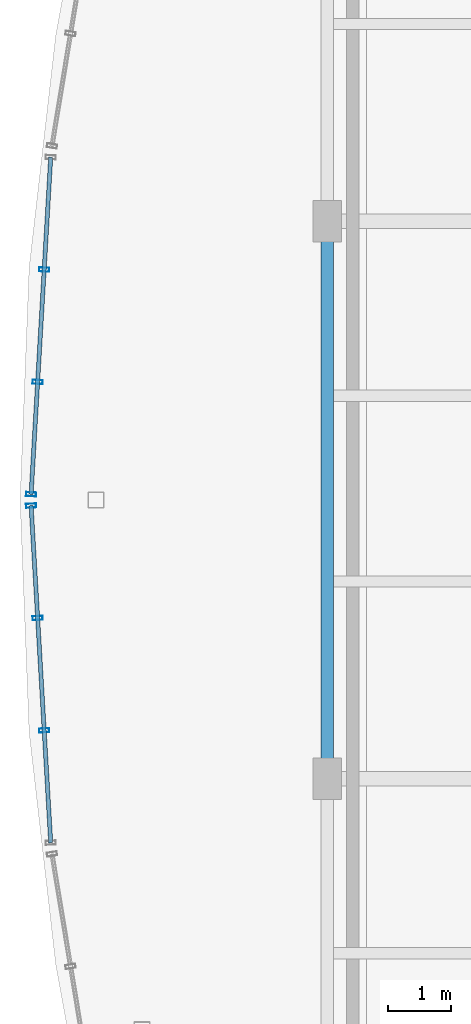
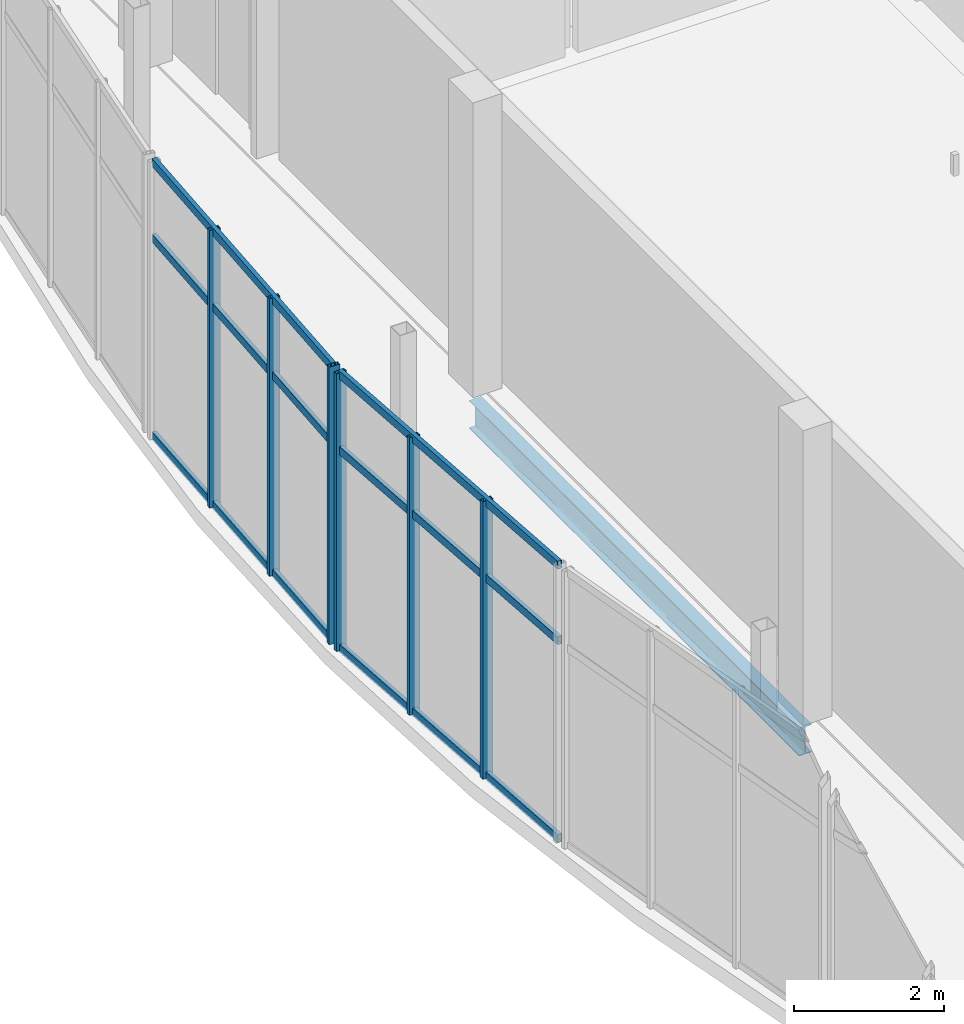
# One storey, part 22 of 157: 12 members, 1 beam, 2 elements without a shape of their own.
"""IFC4 building model written with IfcOpenShell, lengths in metres."""

from ifc_helpers import new_model, si_unit, direction, frame, origin, origin_2d, place, context, subcontext, project, spatial, hollow_rectangle, i_section, extrude, material, layer, layer_set, material_profile, profile_set, type_object, element, aggregate, save


model = new_model("IFC4")

# Units and contexts
model_context = context("Model", 3, precision=1e-05, world=origin(), true_north=direction((0.0, 1.0)))
body_context = subcontext(model_context, "Body", "Model", "MODEL_VIEW")
ifc_project = project(units=[si_unit("LENGTHUNIT", "METRE"), si_unit("AREAUNIT", "SQUARE_METRE"), si_unit("VOLUMEUNIT", "CUBIC_METRE"), si_unit("PLANEANGLEUNIT", "RADIAN"), si_unit("MASSUNIT", "GRAM", prefix="KILO")], contexts=[model_context])

# Site, building, storey
site_placement = place(None, origin())
site = spatial("IfcSite", under=ifc_project, at=site_placement, CompositionType="ELEMENT")
building_placement = place(site_placement, origin())
building = spatial("IfcBuilding", under=site, at=building_placement, Name="Chalmorin Arch Market", CompositionType="ELEMENT")
storey_placement = place(building_placement, frame((0.0, 0.0, 4.800048828125)))
storey = spatial("IfcBuildingStorey", under=building, at=storey_placement, Name="L01", CompositionType="ELEMENT", Elevation=4.800048828125)

# Curtain wall, members
ifc_material_1 = material(Name="Aluminium 6063-T6", Category="aluminium")
ifc_layer = layer(ifc_material_1, 0.159912109375)
ifc_layer_set = layer_set([ifc_layer], Name="Aluminium 6063-T6")
curtain_wall_type = type_object("IfcCurtainWallType", Name="RiverfrontStorefrontCurtainWall-CW2-5330x4520", PredefinedType="NOTDEFINED", material=ifc_layer_set)
curtain_wall_1_placement = place(storey_placement, origin())
curtain_wall_1 = element("IfcCurtainWall", 1, at=curtain_wall_1_placement, inside=storey, type_object=curtain_wall_type, Name="CW-02-055", PredefinedType="NOTDEFINED")
ifc_material_profile_1 = material_profile(ifc_material_1, hollow_rectangle(XDim=0.06494140625, YDim=0.159912109375, WallThickness=0.00390625, at=origin_2d()), Name="ALU65X160X4")
ifc_profile_set_1 = profile_set([ifc_material_profile_1], Name="Aluminium 6063-T6")
member_type_1 = type_object("IfcMemberType", Name="CurtainWallMullion-65x160", PredefinedType="MULLION", material=ifc_profile_set_1)
member_1_placement = place(storey_placement, frame((-4.468505859375, 24.36328125, 0.0), z_axis=(0.0, 0.0, 1.0), x_axis=(-0.052335956243, 0.998629534755, 0.0)))
member_1 = element("IfcMember", 2, at=member_1_placement, type_object=member_type_1, Name="ML-055-02", PredefinedType="MULLION", context=body_context, shape_type="SweptSolid", body=[
    extrude(hollow_rectangle(XDim=0.06494140625, YDim=0.159912109375, WallThickness=0.00390625, at=origin_2d()), origin(), (0.0, 0.0, 1.0), 4.52001953125),
])
member_2_placement = place(storey_placement, frame((-4.571533203125, 26.13671875, 0.0), z_axis=(0.0, 0.0, 1.0), x_axis=(-0.052335956243, 0.998629534755, 0.0)))
member_2 = element("IfcMember", 3, at=member_2_placement, type_object=member_type_1, Name="ML-055-03", PredefinedType="MULLION", context=body_context, shape_type="SweptSolid", body=[
    extrude(hollow_rectangle(XDim=0.06494140625, YDim=0.159912109375, WallThickness=0.00390625, at=origin_2d()), origin(), (0.0, 0.0, 1.0), 4.52001953125),
])
member_3_placement = place(storey_placement, frame((-4.6748046875, 27.91015625, 0.0), z_axis=(0.0, 0.0, 1.0), x_axis=(-0.052335956243, 0.998629534755, 0.0)))
member_3 = element("IfcMember", 4, at=member_3_placement, type_object=member_type_1, Name="ML-055-04", PredefinedType="MULLION", context=body_context, shape_type="SweptSolid", body=[
    extrude(hollow_rectangle(XDim=0.06494140625, YDim=0.159912109375, WallThickness=0.00390625, at=origin_2d()), origin(), (0.0, 0.0, 1.0), 4.52001953125),
])

curtain_wall_2_placement = place(storey_placement, origin())
curtain_wall_2 = element("IfcCurtainWall", 5, at=curtain_wall_2_placement, inside=storey, type_object=curtain_wall_type, Name="CW-02-058", PredefinedType="NOTDEFINED")
member_4_placement = place(storey_placement, frame((-4.6748046875, 28.08984375, 0.0), z_axis=(0.0, 0.0, 1.0), x_axis=(0.052335956243, 0.998629534755, 0.0)))
member_4 = element("IfcMember", 6, at=member_4_placement, type_object=member_type_1, Name="ML-058-01", PredefinedType="MULLION", context=body_context, shape_type="SweptSolid", body=[
    extrude(hollow_rectangle(XDim=0.06494140625, YDim=0.159912109375, WallThickness=0.00390625, at=origin_2d()), origin(), (0.0, 0.0, 1.0), 4.52001953125),
])
member_5_placement = place(storey_placement, frame((-4.571533203125, 29.86328125, 0.0), z_axis=(0.0, 0.0, 1.0), x_axis=(0.052335956243, 0.998629534755, 0.0)))
member_5 = element("IfcMember", 7, at=member_5_placement, type_object=member_type_1, Name="ML-058-02", PredefinedType="MULLION", context=body_context, shape_type="SweptSolid", body=[
    extrude(hollow_rectangle(XDim=0.06494140625, YDim=0.159912109375, WallThickness=0.00390625, at=origin_2d()), origin(), (0.0, 0.0, 1.0), 4.52001953125),
])
member_6_placement = place(storey_placement, frame((-4.468505859375, 31.63671875, 0.0), z_axis=(0.0, 0.0, 1.0), x_axis=(0.052335956243, 0.998629534755, 0.0)))
member_6 = element("IfcMember", 8, at=member_6_placement, type_object=member_type_1, Name="ML-058-03", PredefinedType="MULLION", context=body_context, shape_type="SweptSolid", body=[
    extrude(hollow_rectangle(XDim=0.06494140625, YDim=0.159912109375, WallThickness=0.00390625, at=origin_2d()), origin(), (0.0, 0.0, 1.0), 4.52001953125),
])

# Member
ifc_material_profile_2 = material_profile(ifc_material_1, hollow_rectangle(XDim=0.06494140625, YDim=0.1298828125, WallThickness=0.00390625, at=origin_2d()), Name="ALU65X130X4")
ifc_profile_set_2 = profile_set([ifc_material_profile_2], Name="Aluminium 6063-T6")
member_type_2 = type_object("IfcMemberType", Name="CurtainWallTransom-65x130", PredefinedType="USERDEFINED", material=ifc_profile_set_2)
member_7_placement = place(storey_placement, frame((-4.365234375, 22.58984375, 0.034912109375), z_axis=(-0.058088239808, 0.998311452602, 0.0), x_axis=(-0.998311452602, -0.058088239808, 0.0)))
member_7 = element("IfcMember", 9, at=member_7_placement, type_object=member_type_2, Name="TR-055-01", ObjectType="TRANSOM", PredefinedType="USERDEFINED", context=body_context, shape_type="SweptSolid", body=[
    extrude(hollow_rectangle(XDim=0.06494140625, YDim=0.1298828125, WallThickness=0.00390625, at=origin_2d()), origin(), (0.0, 0.0, 1.0), 5.329345703125),
])

member_8_placement = place(storey_placement, frame((-4.365234375, 22.58984375, 3.25439453125), z_axis=(-0.058088239808, 0.998311452602, 0.0), x_axis=(-0.998311452602, -0.058088239808, 0.0)))
member_8 = element("IfcMember", 10, at=member_8_placement, type_object=member_type_2, Name="TR-055-02", ObjectType="TRANSOM", PredefinedType="USERDEFINED", context=body_context, shape_type="SweptSolid", body=[
    extrude(hollow_rectangle(XDim=0.06494140625, YDim=0.1298828125, WallThickness=0.00390625, at=origin_2d()), origin(), (0.0, 0.0, 1.0), 5.329345703125),
])

member_9_placement = place(storey_placement, frame((-4.365234375, 22.58984375, 4.48486328125), z_axis=(-0.058088239808, 0.998311452602, 0.0), x_axis=(-0.998311452602, -0.058088239808, 0.0)))
member_9 = element("IfcMember", 11, at=member_9_placement, type_object=member_type_2, Name="TR-055-03", ObjectType="TRANSOM", PredefinedType="USERDEFINED", context=body_context, shape_type="SweptSolid", body=[
    extrude(hollow_rectangle(XDim=0.06494140625, YDim=0.1298828125, WallThickness=0.00390625, at=origin_2d()), origin(), (0.0, 0.0, 1.0), 5.329345703125),
])

aggregate(curtain_wall_1, [member_1, member_2, member_3, member_7, member_8, member_9])

member_10_placement = place(storey_placement, frame((-4.6748046875, 28.08984375, 0.034912109375), z_axis=(0.058088239808, 0.998311452602, 0.0), x_axis=(-0.998311452602, 0.058088239808, 0.0)))
member_10 = element("IfcMember", 12, at=member_10_placement, type_object=member_type_2, Name="TR-058-01", ObjectType="TRANSOM", PredefinedType="USERDEFINED", context=body_context, shape_type="SweptSolid", body=[
    extrude(hollow_rectangle(XDim=0.06494140625, YDim=0.1298828125, WallThickness=0.00390625, at=origin_2d()), origin(), (0.0, 0.0, 1.0), 5.329345703125),
])

member_11_placement = place(storey_placement, frame((-4.6748046875, 28.08984375, 3.25439453125), z_axis=(0.058088239808, 0.998311452602, 0.0), x_axis=(-0.998311452602, 0.058088239808, 0.0)))
member_11 = element("IfcMember", 13, at=member_11_placement, type_object=member_type_2, Name="TR-058-02", ObjectType="TRANSOM", PredefinedType="USERDEFINED", context=body_context, shape_type="SweptSolid", body=[
    extrude(hollow_rectangle(XDim=0.06494140625, YDim=0.1298828125, WallThickness=0.00390625, at=origin_2d()), origin(), (0.0, 0.0, 1.0), 5.329345703125),
])

member_12_placement = place(storey_placement, frame((-4.6748046875, 28.08984375, 4.48486328125), z_axis=(0.058088239808, 0.998311452602, 0.0), x_axis=(-0.998311452602, 0.058088239808, 0.0)))
member_12 = element("IfcMember", 14, at=member_12_placement, type_object=member_type_2, Name="TR-058-03", ObjectType="TRANSOM", PredefinedType="USERDEFINED", context=body_context, shape_type="SweptSolid", body=[
    extrude(hollow_rectangle(XDim=0.06494140625, YDim=0.1298828125, WallThickness=0.00390625, at=origin_2d()), origin(), (0.0, 0.0, 1.0), 5.329345703125),
])

aggregate(curtain_wall_2, [member_4, member_5, member_6, member_10, member_11, member_12])

# Beam
ifc_material_2 = material(Name="Steel A992 Grade 50", Category="steel")
ifc_material_profile_3 = material_profile(ifc_material_2, i_section(OverallWidth=0.19091796875, OverallDepth=0.45703125, WebThickness=0.009033203125, FlangeThickness=0.014404296875, FilletRadius=0.02001953125, at=origin_2d()), Name="W18X50")
ifc_profile_set_3 = profile_set([ifc_material_profile_3], Name="Steel A992 Grade 50")
beam_type = type_object("IfcBeamType", Name="PerimeterSpandrelBeam-W18X50", PredefinedType="SPANDREL", material=ifc_profile_set_3)
beam_placement = place(storey_placement, frame((0.0, 23.60009765625, -0.510498046875), z_axis=(0.0, 1.0, 0.0), x_axis=(-1.0, 0.0, 0.0)))
element("IfcBeam", 15, at=beam_placement, inside=storey, type_object=beam_type, Name="SP-W18-0806", PredefinedType="SPANDREL", context=body_context, shape_type="SweptSolid", body=[
    extrude(i_section(OverallWidth=0.19091796875, OverallDepth=0.45703125, WebThickness=0.009033203125, FlangeThickness=0.014404296875, FilletRadius=0.02001953125, at=origin_2d()), origin(), (0.0, 0.0, 1.0), 8.7998046875),
])

save(model, "model.ifc")
